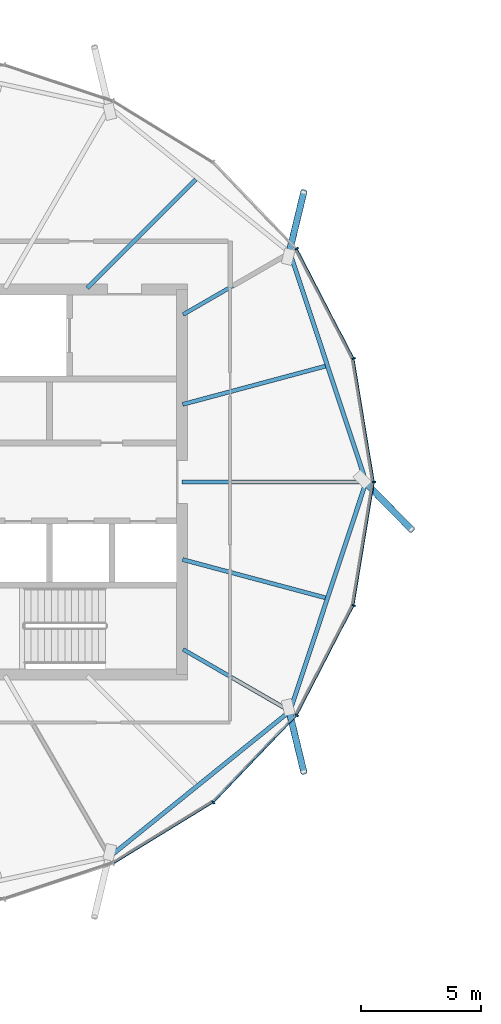
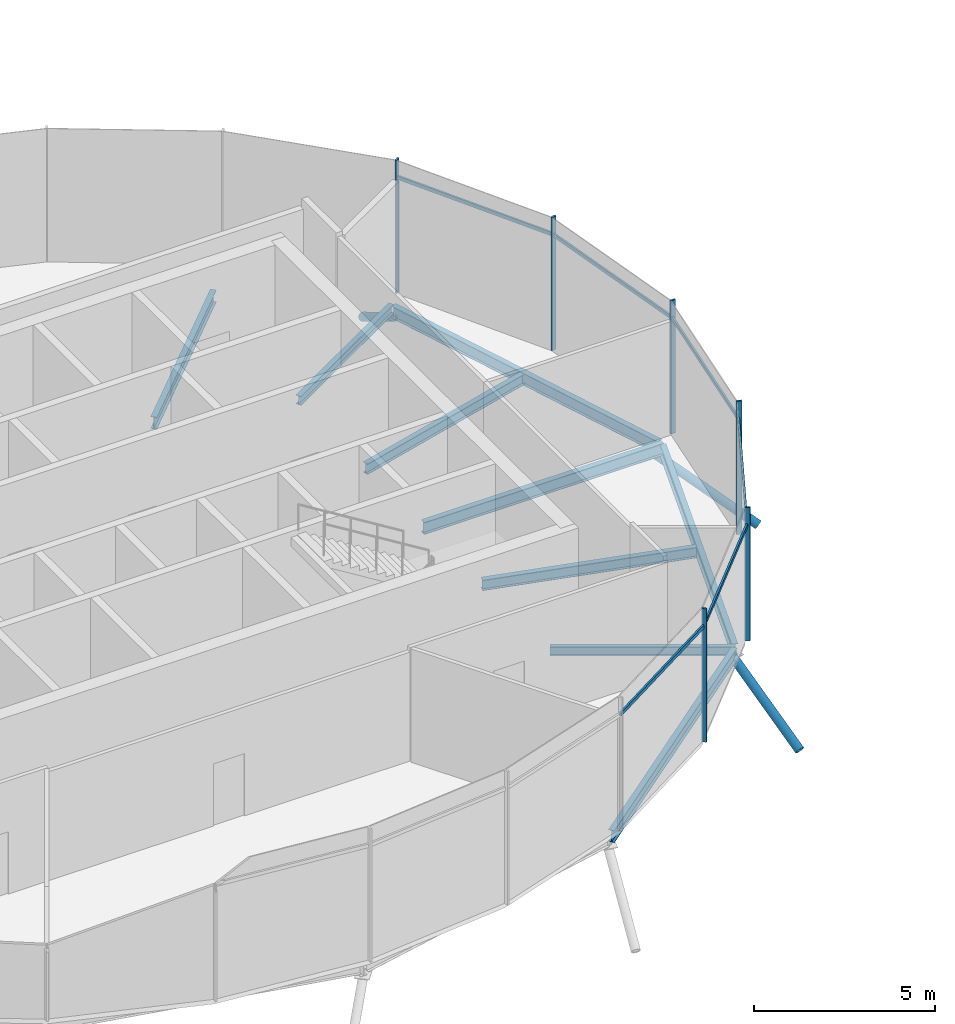
# One storey, part 6 of 31: 15 members, 9 beams, 1 element without a shape of its own.
"""IFC4 building model written with IfcOpenShell, lengths in metres."""

from ifc_helpers import new_model, si_unit, direction, frame, origin, origin_2d, place, context, subcontext, project, spatial, rectangle, hollow_circle, i_section, extrude, clip, halfspace, material, material_profile, profile_set, type_object, element, aggregate, save


model = new_model("IFC4")

# Units and contexts
model_context = context("Model", 3, precision=1e-05, world=origin(), true_north=direction((0.0, 1.0)))
body_context = subcontext(model_context, "Body", "Model", "MODEL_VIEW")
ifc_project = project(units=[si_unit("LENGTHUNIT", "METRE"), si_unit("AREAUNIT", "SQUARE_METRE"), si_unit("VOLUMEUNIT", "CUBIC_METRE"), si_unit("PLANEANGLEUNIT", "RADIAN"), si_unit("MASSUNIT", "GRAM", prefix="KILO")], contexts=[model_context])

# Site, building, storey
site_placement = place(None, origin())
site = spatial("IfcSite", under=ifc_project, at=site_placement, CompositionType="ELEMENT")
building_placement = place(site_placement, origin())
building = spatial("IfcBuilding", under=site, at=building_placement, Name="Rimbun Link Towers", CompositionType="ELEMENT")
storey_placement = place(building_placement, frame((0.0, 0.0, 263.10009765625)))
storey = spatial("IfcBuildingStorey", under=building, at=storey_placement, Name="L64", CompositionType="ELEMENT", Elevation=263.10009765625)

# Curtain wall, members
ifc_material_1 = material(Name="Aluminium 6063-T6 and low-iron glass", Category="aluminium")
curtain_wall_type = type_object("IfcCurtainWallType", Name="CW5 full height lobby wall", PredefinedType="NOTDEFINED", material=ifc_material_1)
curtain_wall_placement = place(storey_placement, origin())
curtain_wall = element("IfcCurtainWall", 1, at=curtain_wall_placement, inside=storey, type_object=curtain_wall_type, Name="CW5 L64 T1", PredefinedType="NOTDEFINED")
ifc_material_2 = material(Name="Aluminium 6063-T6", Category="aluminium")
ifc_material_profile_1 = material_profile(ifc_material_2, rectangle(XDim=0.14990234375, YDim=0.06005859375, at=origin_2d()), Name="MULLION 60X150")
ifc_profile_set_1 = profile_set([ifc_material_profile_1], Name="Aluminium 6063-T6")
member_type_1 = type_object("IfcMemberType", Name="CW5 mullion 60X150", PredefinedType="MULLION", material=ifc_profile_set_1)
member_1_placement = place(storey_placement, frame((-12.622314453125, 5.1298828125, 0.0), z_axis=(0.0, 0.0, 1.0), x_axis=(0.949163280594, 0.314784159024, 0.0)))
member_1 = element("IfcMember", 2, at=member_1_placement, type_object=member_type_1, Name="CW5 mullion", PredefinedType="MULLION", context=body_context, shape_type="SweptSolid", body=[
    extrude(rectangle(XDim=0.14990234375, YDim=0.06005859375, at=origin_2d()), origin(), (0.0, 0.0, 1.0), 4.5),
])
member_2_placement = place(storey_placement, frame((-11.779052734375, 0.0, 0.0), z_axis=(0.0, 0.0, 1.0), x_axis=(1.0, 0.0, 0.0)))
member_2 = element("IfcMember", 3, at=member_2_placement, type_object=member_type_1, Name="CW5 mullion", PredefinedType="MULLION", context=body_context, shape_type="SweptSolid", body=[
    extrude(rectangle(XDim=0.14990234375, YDim=0.06005859375, at=origin_2d()), origin(), (0.0, 0.0, 1.0), 4.5),
])
member_3_placement = place(storey_placement, frame((-14.981689453125, 9.689697265625, 0.0), z_axis=(0.0, 0.0, 1.0), x_axis=(0.813349912025, 0.581774802315, 0.0)))
member_3 = element("IfcMember", 4, at=member_3_placement, type_object=member_type_1, Name="CW5 mullion", PredefinedType="MULLION", context=body_context, shape_type="SweptSolid", body=[
    extrude(rectangle(XDim=0.14990234375, YDim=0.06005859375, at=origin_2d()), origin(), (0.0, 0.0, 1.0), 4.5),
])
member_4_placement = place(storey_placement, frame((-18.451904296875, -13.3095703125, 0.0), z_axis=(0.0, 0.0, 1.0), x_axis=(0.627673907334, -0.778476374755, 0.0)))
member_4 = element("IfcMember", 5, at=member_4_placement, type_object=member_type_1, Name="CW5 mullion", PredefinedType="MULLION", context=body_context, shape_type="SweptSolid", body=[
    extrude(rectangle(XDim=0.14990234375, YDim=0.06005859375, at=origin_2d()), origin(), (0.0, 0.0, 1.0), 4.5),
])
member_5_placement = place(storey_placement, frame((-14.981689453125, -9.689697265625, 0.0), z_axis=(0.0, 0.0, 1.0), x_axis=(0.813349912025, -0.581774802315, 0.0)))
member_5 = element("IfcMember", 6, at=member_5_placement, type_object=member_type_1, Name="CW5 mullion", PredefinedType="MULLION", context=body_context, shape_type="SweptSolid", body=[
    extrude(rectangle(XDim=0.14990234375, YDim=0.06005859375, at=origin_2d()), origin(), (0.0, 0.0, 1.0), 4.5),
])
member_6_placement = place(storey_placement, frame((-12.622314453125, -5.1298828125, 0.0), z_axis=(0.0, 0.0, 1.0), x_axis=(0.949163280594, -0.314784159024, 0.0)))
member_6 = element("IfcMember", 7, at=member_6_placement, type_object=member_type_1, Name="CW5 mullion", PredefinedType="MULLION", context=body_context, shape_type="SweptSolid", body=[
    extrude(rectangle(XDim=0.14990234375, YDim=0.06005859375, at=origin_2d()), origin(), (0.0, 0.0, 1.0), 4.5),
])
ifc_material_3 = material(Name="Aluminium 6063-T6", Category="aluminium")
ifc_material_profile_2 = material_profile(ifc_material_3, rectangle(XDim=0.06005859375, YDim=0.1201171875, at=origin_2d()), Name="TRANSOM 60X120")
ifc_profile_set_2 = profile_set([ifc_material_profile_2], Name="Aluminium 6063-T6")
member_type_2 = type_object("IfcMemberType", Name="CW5 transom 60X120", PredefinedType="USERDEFINED", material=ifc_profile_set_2)
member_7_placement = place(storey_placement, frame((-12.62744140625, 5.086669921875, 3.89990234375), z_axis=(0.162239069432, -0.986751480541, 0.0), x_axis=(0.986751480541, 0.162239069432, 0.0)))
member_7 = element("IfcMember", 8, at=member_7_placement, type_object=member_type_2, Name="CW5 transom", ObjectType="TRANSOM", PredefinedType="USERDEFINED", context=body_context, shape_type="SweptSolid", body=[
    extrude(rectangle(XDim=0.06005859375, YDim=0.1201171875, at=origin_2d()), origin(), (0.0, 0.0, 1.0), 5.114990234375),
])
member_8_placement = place(storey_placement, frame((-14.9736328125, 9.64794921875, 3.89990234375), z_axis=(0.459524155552, -0.888165272043, 0.0), x_axis=(0.888165272043, 0.459524155552, 0.0)))
member_8 = element("IfcMember", 9, at=member_8_placement, type_object=member_type_2, Name="CW5 transom", ObjectType="TRANSOM", PredefinedType="USERDEFINED", context=body_context, shape_type="SweptSolid", body=[
    extrude(rectangle(XDim=0.06005859375, YDim=0.1201171875, at=origin_2d()), origin(), (0.0, 0.0, 1.0), 5.051513671875),
])
member_9_placement = place(storey_placement, frame((-18.491943359375, -13.319580078125, 3.89990234375), z_axis=(-0.852170428622, -0.523264331463, 0.0), x_axis=(0.523264331463, -0.852170428622, 0.0)))
member_9 = element("IfcMember", 10, at=member_9_placement, type_object=member_type_2, Name="CW5 transom", ObjectType="TRANSOM", PredefinedType="USERDEFINED", context=body_context, shape_type="SweptSolid", body=[
    extrude(rectangle(XDim=0.06005859375, YDim=0.1201171875, at=origin_2d()), origin(), (0.0, 0.0, 1.0), 4.792236328125),
])
member_10_placement = place(storey_placement, frame((-15.0185546875, -9.71044921875, 3.89990234375), z_axis=(-0.692032156482, -0.721866673559, 0.0), x_axis=(0.721866673559, -0.692032156482, 0.0)))
member_10 = element("IfcMember", 11, at=member_10_placement, type_object=member_type_2, Name="CW5 transom", ObjectType="TRANSOM", PredefinedType="USERDEFINED", context=body_context, shape_type="SweptSolid", body=[
    extrude(rectangle(XDim=0.06005859375, YDim=0.1201171875, at=origin_2d()), origin(), (0.0, 0.0, 1.0), 4.934326171875),
])
member_11_placement = place(storey_placement, frame((-12.65234375, -5.161376953125, 3.89990234375), z_axis=(-0.459524155552, -0.888165272043, 0.0), x_axis=(0.888165272043, -0.459524155552, 0.0)))
member_11 = element("IfcMember", 12, at=member_11_placement, type_object=member_type_2, Name="CW5 transom", ObjectType="TRANSOM", PredefinedType="USERDEFINED", context=body_context, shape_type="SweptSolid", body=[
    extrude(rectangle(XDim=0.06005859375, YDim=0.1201171875, at=origin_2d()), origin(), (0.0, 0.0, 1.0), 5.051513671875),
])
member_12_placement = place(storey_placement, frame((-11.797607421875, -0.03955078125, 3.89990234375), z_axis=(-0.162239069432, -0.986751480541, 0.0), x_axis=(0.986751480541, -0.162239069432, 0.0)))
member_12 = element("IfcMember", 13, at=member_12_placement, type_object=member_type_2, Name="CW5 transom", ObjectType="TRANSOM", PredefinedType="USERDEFINED", context=body_context, shape_type="SweptSolid", body=[
    extrude(rectangle(XDim=0.06005859375, YDim=0.1201171875, at=origin_2d()), origin(), (0.0, 0.0, 1.0), 5.114990234375),
])
aggregate(curtain_wall, [member_1, member_2, member_3, member_4, member_5, member_6, member_7, member_8, member_9, member_10, member_11, member_12])

# Members
ifc_material_4 = material(Name="Steel S355J2H", Category="steel")
ifc_material_profile_3 = material_profile(ifc_material_4, hollow_circle(Radius=0.136474609375, WallThickness=0.012451171875, at=origin_2d()), Name="CHS 273x12.5")
ifc_profile_set_3 = profile_set([ifc_material_profile_3], Name="Steel S355J2H")
member_type_3 = type_object("IfcMemberType", Name="Floor edge link CHS 273x12.5", PredefinedType="BRACE", material=ifc_profile_set_3)
member_13_placement = place(storey_placement, frame((-12.157470703125, 0.0, -0.702392578125), z_axis=(0.595196050484, -0.606482203138, -0.527182130544), x_axis=(0.713716444886, 0.700434748067, 0.0)))
element("IfcMember", 14, at=member_13_placement, inside=storey, type_object=member_type_3, Name="Floor edge link T1 L64 00", PredefinedType="BRACE", context=body_context, shape_type="Clipping", body=[
    clip(extrude(hollow_circle(Radius=0.136474609375, WallThickness=0.012451171875, at=origin_2d()), frame((0.0, 0.0, -0.458984375)), (0.0, 0.0, 1.0), 3.7470703125), halfspace(frame((0.0, 0.0, -0.216064453125), z_axis=(0.0, 0.849752317582, -0.527182130544)), False)),
])
for number, where, z_axis, x_axis, name in (
    (15, (-15.308837890625, 9.4921875, -0.5966796875), (0.195148833283, 0.80738046711, -0.556824670966), (-0.97200969757, 0.234940732588, 0.0), "Floor edge link T1 L64 02"),
    (16, (-15.308837890625, -9.4921875, -0.5966796875), (0.195148833283, -0.80738046711, -0.556824670966), (0.97200969757, 0.234940732588, 0.0), "Floor edge link T1 L64 22"),
):
    element("IfcMember", number, at=place(storey_placement, frame(where, z_axis=z_axis, x_axis=x_axis)), inside=storey, type_object=member_type_3, Name=name, PredefinedType="BRACE", context=body_context, shape_type="Clipping", body=[
        clip(extrude(hollow_circle(Radius=0.136474609375, WallThickness=0.012451171875, at=origin_2d()), frame((0.0, 0.0, -0.42529296875)), (0.0, 0.0, 1.0), 3.615478515625), halfspace(frame((0.0, 0.0, -0.19970703125), z_axis=(0.0, 0.830630053515, -0.556824670966)), False)),
    ])

# Beams
ifc_material_5 = material(Name="Steel S355J2", Category="steel")
ifc_material_profile_4 = material_profile(ifc_material_5, i_section(OverallWidth=0.1650390625, OverallDepth=0.303466796875, WebThickness=0.006103515625, FlangeThickness=0.01025390625, at=origin_2d()), Name="UB 305x165x40")
ifc_profile_set_4 = profile_set([ifc_material_profile_4], Name="Steel S355J2")
beam_type_1 = type_object("IfcBeamType", Name="UB 305x165x40", PredefinedType="BEAM", material=ifc_profile_set_4)
for number, where, z_axis, x_axis, name in (
    (17, (-19.7080078125, 6.952392578125, -0.331787109375), (0.866026286796, 0.499998470576, 0.0), (-0.499998470576, 0.866026286796, 0.0), "Radial beam T1 L64 02"),
    (18, (-19.7080078125, -6.952392578125, -0.331787109375), (0.866026286796, -0.499998470576, 0.0), (0.499998470576, 0.866026286796, 0.0), "Radial beam T1 L64 22"),
):
    element("IfcBeam", number, at=place(storey_placement, frame(where, z_axis=z_axis, x_axis=x_axis)), inside=storey, type_object=beam_type_1, Name=name, PredefinedType="BEAM", context=body_context, shape_type="SweptSolid", body=[
        extrude(i_section(OverallWidth=0.1650390625, OverallDepth=0.303466796875, WebThickness=0.006103515625, FlangeThickness=0.01025390625, at=origin_2d()), origin(), (0.0, 0.0, 1.0), 5.1298828125),
    ])
ifc_material_6 = material(Name="Steel S355J2", Category="steel")
ifc_material_profile_5 = material_profile(ifc_material_6, i_section(OverallWidth=0.17138671875, OverallDepth=0.35498046875, WebThickness=0.00732421875, FlangeThickness=0.011474609375, at=origin_2d()), Name="UB 356x171x51")
ifc_profile_set_5 = profile_set([ifc_material_profile_5], Name="Steel S355J2")
beam_type_2 = type_object("IfcBeamType", Name="UB 356x171x51", PredefinedType="BEAM", material=ifc_profile_set_5)
for number, where, z_axis, x_axis, name in (
    (19, (-19.726806640625, 3.2216796875, -0.357666015625), (0.96593189457, 0.258796396906, 0.0), (-0.258796396906, 0.96593189457, 0.0), "Radial beam T1 L64 01"),
    (20, (-19.726806640625, -3.2216796875, -0.357666015625), (0.96593189457, -0.258796396906, 0.0), (0.258796396906, 0.96593189457, 0.0), "Radial beam T1 L64 23"),
):
    element("IfcBeam", number, at=place(storey_placement, frame(where, z_axis=z_axis, x_axis=x_axis)), inside=storey, type_object=beam_type_2, Name=name, PredefinedType="BEAM", context=body_context, shape_type="SweptSolid", body=[
        extrude(i_section(OverallWidth=0.17138671875, OverallDepth=0.35498046875, WebThickness=0.00732421875, FlangeThickness=0.011474609375, at=origin_2d()), origin(), (0.0, 0.0, 1.0), 6.137451171875),
    ])
ifc_material_7 = material(Name="Steel S355J2", Category="steel")
ifc_material_profile_6 = material_profile(ifc_material_7, i_section(OverallWidth=0.177978515625, OverallDepth=0.406494140625, WebThickness=0.0078125, FlangeThickness=0.0126953125, at=origin_2d()), Name="UB 406x178x60")
ifc_profile_set_6 = profile_set([ifc_material_profile_6], Name="Steel S355J2")
beam_type_3 = type_object("IfcBeamType", Name="UB 406x178x60", PredefinedType="BEAM", material=ifc_profile_set_6)
beam_1_placement = place(storey_placement, frame((-19.7490234375, 0.0, -0.38330078125), z_axis=(1.0, 0.0, 0.0), x_axis=(0.0, 1.0, 0.0)))
element("IfcBeam", 21, at=beam_1_placement, inside=storey, type_object=beam_type_3, Name="Radial beam T1 L64 00", PredefinedType="BEAM", context=body_context, shape_type="SweptSolid", body=[
    extrude(i_section(OverallWidth=0.177978515625, OverallDepth=0.406494140625, WebThickness=0.0078125, FlangeThickness=0.0126953125, at=origin_2d()), origin(), (0.0, 0.0, 1.0), 7.6416015625),
])
beam_2_placement = place(storey_placement, frame((-23.686279296875, 8.063720703125, -0.38330078125), z_axis=(0.707106781187, 0.707106781187, 0.0), x_axis=(-0.707106781187, 0.707106781187, 0.0)))
element("IfcBeam", 22, at=beam_2_placement, inside=storey, type_object=beam_type_3, Name="Radial beam T1 L64 03", PredefinedType="BEAM", context=body_context, shape_type="SweptSolid", body=[
    extrude(i_section(OverallWidth=0.177978515625, OverallDepth=0.406494140625, WebThickness=0.0078125, FlangeThickness=0.0126953125, at=origin_2d()), origin(), (0.0, 0.0, 1.0), 6.366455078125),
])
beam_3_placement = place(storey_placement, frame((-12.13720703125, 0.08984375, -0.38330078125), z_axis=(-0.31495565995, 0.949106386168, 0.0), x_axis=(-0.949106386168, -0.31495565995, 0.0)))
element("IfcBeam", 23, at=beam_3_placement, inside=storey, type_object=beam_type_3, Name="Edge beam T1 L64 00-02", PredefinedType="BEAM", context=body_context, shape_type="SweptSolid", body=[
    extrude(i_section(OverallWidth=0.177978515625, OverallDepth=0.406494140625, WebThickness=0.0078125, FlangeThickness=0.0126953125, at=origin_2d()), origin(), (0.0, 0.0, 1.0), 9.84765625),
])
beam_4_placement = place(storey_placement, frame((-22.685791015625, -15.5078125, -0.38330078125), z_axis=(0.778080116304, 0.628165052046, 0.0), x_axis=(-0.628165052046, 0.778080116304, 0.0)))
element("IfcBeam", 24, at=beam_4_placement, inside=storey, type_object=beam_type_3, Name="Edge beam T1 L64 20-22", PredefinedType="BEAM", context=body_context, shape_type="SweptSolid", body=[
    extrude(i_section(OverallWidth=0.177978515625, OverallDepth=0.406494140625, WebThickness=0.0078125, FlangeThickness=0.0126953125, at=origin_2d()), origin(), (0.0, 0.0, 1.0), 9.447021484375),
])
beam_5_placement = place(storey_placement, frame((-15.23876953125, -9.436279296875, -0.38330078125), z_axis=(0.31495565995, 0.949106386168, 0.0), x_axis=(-0.949106386168, 0.31495565995, 0.0)))
element("IfcBeam", 25, at=beam_5_placement, inside=storey, type_object=beam_type_3, Name="Edge beam T1 L64 22-00", PredefinedType="BEAM", context=body_context, shape_type="SweptSolid", body=[
    extrude(i_section(OverallWidth=0.177978515625, OverallDepth=0.406494140625, WebThickness=0.0078125, FlangeThickness=0.0126953125, at=origin_2d()), origin(), (0.0, 0.0, 1.0), 9.84765625),
])

save(model, "model.ifc")
